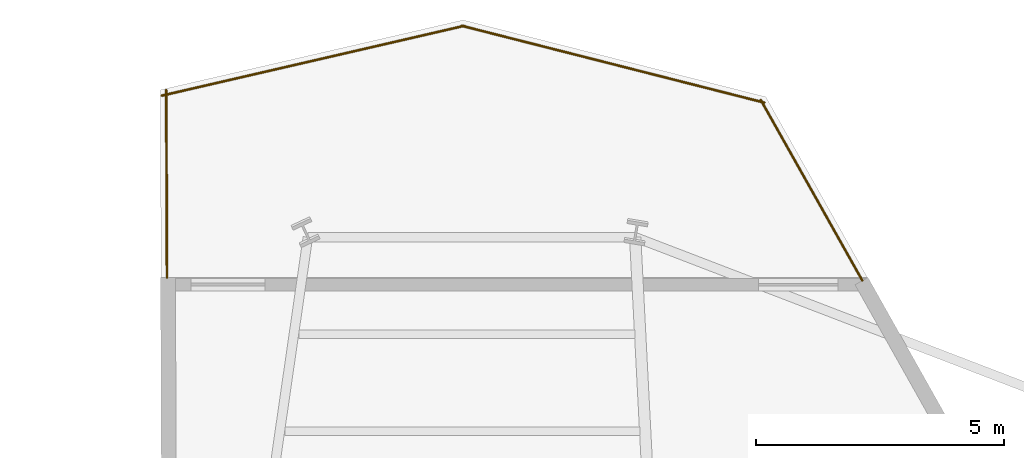
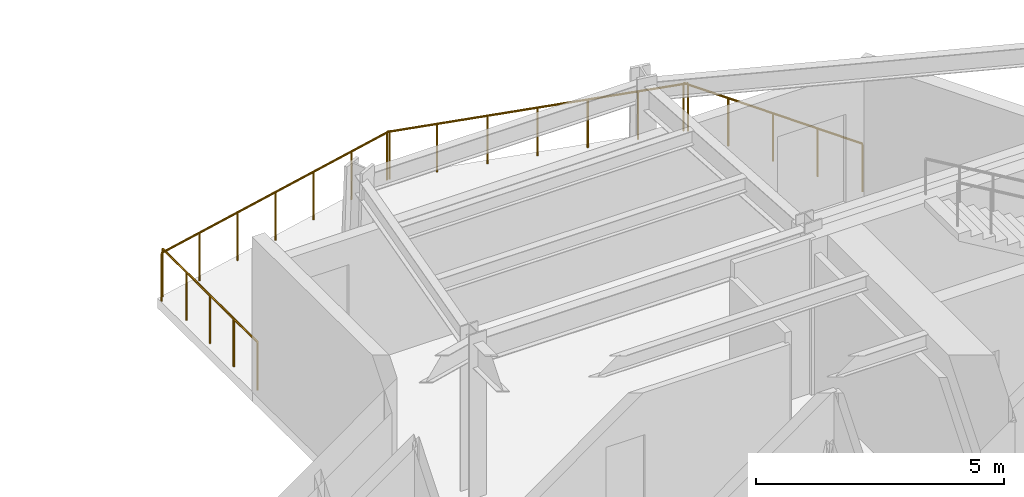
# One storey, part 23 of 23: 4 railings.
"""IFC4 building model written with IfcOpenShell, lengths in metres."""

from ifc_helpers import new_model, si_unit, direction, frame, origin, origin_2d, place, context, subcontext, project, spatial, circle, extrude, material, type_object, element, save


model = new_model("IFC4")

# Units and contexts
model_context = context("Model", 3, precision=1e-05, world=origin(), true_north=direction((0.0, 1.0)))
body_context = subcontext(model_context, "Body", "Model", "MODEL_VIEW")
ifc_project = project(units=[si_unit("LENGTHUNIT", "METRE"), si_unit("AREAUNIT", "SQUARE_METRE"), si_unit("VOLUMEUNIT", "CUBIC_METRE"), si_unit("PLANEANGLEUNIT", "RADIAN"), si_unit("MASSUNIT", "GRAM", prefix="KILO")], contexts=[model_context])

# Site, building, storey
site_placement = place(None, origin())
site = spatial("IfcSite", under=ifc_project, at=site_placement, CompositionType="ELEMENT")
building_placement = place(site_placement, origin())
building = spatial("IfcBuilding", under=site, at=building_placement, Name="Veymaron Broadcast Tower", CompositionType="ELEMENT")
storey_placement = place(building_placement, frame((0.0, 0.0, 165.449951171875)))
storey = spatial("IfcBuildingStorey", under=building, at=storey_placement, Name="L38", CompositionType="ELEMENT", Elevation=165.449951171875)

# Railings
ifc_material = material(Name="Laminated structural sentry-glass and stainless steel AISI 316L", Category="steel")
railing_type = type_object("IfcRailingType", Name="RAIL-TERR-1200", PredefinedType="GUARDRAIL", material=ifc_material)
railing_1_placement = place(storey_placement, frame((43.26904296875, 37.234130859375, 0.0)))
element("IfcRailing", 1, at=railing_1_placement, inside=storey, type_object=railing_type, Name="L38 sky-terrace perimeter guardrail 2", PredefinedType="GUARDRAIL", context=body_context, shape_type="SweptSolid", body=[
    extrude(circle(Radius=0.02392578125, at=origin_2d()), frame((0.0, 0.0, 1.17578125), z_axis=(-0.490097873601, 0.871667410365, 0.0), x_axis=(-0.871667410365, -0.490097873601, 0.0)), (0.0, 0.0, 1.0), 4.1865234375),
    extrude(circle(Radius=0.02099609375, at=origin_2d()), origin(), (0.0, 0.0, 1.0), 1.15185546875),
    extrude(circle(Radius=0.02099609375, at=origin_2d()), frame((-0.512939453125, 0.912353515625, 0.0)), (0.0, 0.0, 1.0), 1.15185546875),
    extrude(circle(Radius=0.02099609375, at=origin_2d()), frame((-1.02587890625, 1.82470703125, 0.0)), (0.0, 0.0, 1.0), 1.15185546875),
    extrude(circle(Radius=0.02099609375, at=origin_2d()), frame((-1.538818359375, 2.73681640625, 0.0)), (0.0, 0.0, 1.0), 1.15185546875),
    extrude(circle(Radius=0.02099609375, at=origin_2d()), frame((-2.0517578125, 3.649169921875, 0.0)), (0.0, 0.0, 1.0), 1.15185546875),
])
railing_2_placement = place(storey_placement, frame((41.292236328125, 40.82568359375, 0.0)))
element("IfcRailing", 2, at=railing_2_placement, inside=storey, type_object=railing_type, Name="L38 sky-terrace perimeter guardrail 3", PredefinedType="GUARDRAIL", context=body_context, shape_type="SweptSolid", body=[
    extrude(circle(Radius=0.02392578125, at=origin_2d()), frame((0.0, 0.0, 1.17578125), z_axis=(-0.969244997251, 0.246097816536, 0.0), x_axis=(-0.246097816536, -0.969244997251, 0.0)), (0.0, 0.0, 1.0), 6.302490234375),
    extrude(circle(Radius=0.02099609375, at=origin_2d()), origin(), (0.0, 0.0, 1.0), 1.15185546875),
    extrude(circle(Radius=0.02099609375, at=origin_2d()), frame((-1.01806640625, 0.258544921875, 0.0)), (0.0, 0.0, 1.0), 1.15185546875),
    extrude(circle(Radius=0.02099609375, at=origin_2d()), frame((-2.0361328125, 0.51708984375, 0.0)), (0.0, 0.0, 1.0), 1.15185546875),
    extrude(circle(Radius=0.02099609375, at=origin_2d()), frame((-3.05419921875, 0.775390625, 0.0)), (0.0, 0.0, 1.0), 1.15185546875),
    extrude(circle(Radius=0.02099609375, at=origin_2d()), frame((-4.072509765625, 1.033935546875, 0.0)), (0.0, 0.0, 1.0), 1.15185546875),
    extrude(circle(Radius=0.02099609375, at=origin_2d()), frame((-5.090576171875, 1.29248046875, 0.0)), (0.0, 0.0, 1.0), 1.15185546875),
    extrude(circle(Radius=0.02099609375, at=origin_2d()), frame((-6.108642578125, 1.551025390625, 0.0)), (0.0, 0.0, 1.0), 1.15185546875),
])
railing_3_placement = place(storey_placement, frame((35.239990234375, 42.376220703125, 0.0)))
element("IfcRailing", 3, at=railing_3_placement, inside=storey, type_object=railing_type, Name="L38 sky-terrace perimeter guardrail 4", PredefinedType="GUARDRAIL", context=body_context, shape_type="SweptSolid", body=[
    extrude(circle(Radius=0.02392578125, at=origin_2d()), frame((0.0, 0.0, 1.17578125), z_axis=(-0.974376754961, -0.224922074041, 0.0), x_axis=(0.224922074041, -0.974376754961, 0.0)), (0.0, 0.0, 1.0), 6.26953125),
    extrude(circle(Radius=0.02099609375, at=origin_2d()), origin(), (0.0, 0.0, 1.0), 1.15185546875),
    extrude(circle(Radius=0.02099609375, at=origin_2d()), frame((-1.01806640625, -0.235107421875, 0.0)), (0.0, 0.0, 1.0), 1.15185546875),
    extrude(circle(Radius=0.02099609375, at=origin_2d()), frame((-2.036376953125, -0.469970703125, 0.0)), (0.0, 0.0, 1.0), 1.15185546875),
    extrude(circle(Radius=0.02099609375, at=origin_2d()), frame((-3.054443359375, -0.705078125, 0.0)), (0.0, 0.0, 1.0), 1.15185546875),
    extrude(circle(Radius=0.02099609375, at=origin_2d()), frame((-4.072509765625, -0.940185546875, 0.0)), (0.0, 0.0, 1.0), 1.15185546875),
    extrude(circle(Radius=0.02099609375, at=origin_2d()), frame((-5.0908203125, -1.175048828125, 0.0)), (0.0, 0.0, 1.0), 1.15185546875),
    extrude(circle(Radius=0.02099609375, at=origin_2d()), frame((-6.10888671875, -1.41015625, 0.0)), (0.0, 0.0, 1.0), 1.15185546875),
])
railing_4_placement = place(storey_placement, frame((29.22412109375, 41.08349609375, 0.0)))
element("IfcRailing", 4, at=railing_4_placement, inside=storey, type_object=railing_type, Name="L38 sky-terrace perimeter guardrail 5", PredefinedType="GUARDRAIL", context=body_context, shape_type="SweptSolid", body=[
    extrude(circle(Radius=0.02392578125, at=origin_2d()), frame((0.0, 0.0, 1.17578125), z_axis=(0.004058198997, -0.999991765477, 0.0), x_axis=(0.999991765477, 0.004058198997, 0.0)), (0.0, 0.0, 1.0), 3.7900390625),
    extrude(circle(Radius=0.02099609375, at=origin_2d()), origin(), (0.0, 0.0, 1.0), 1.15185546875),
    extrude(circle(Radius=0.02099609375, at=origin_2d()), frame((0.00390625, -0.947509765625, 0.0)), (0.0, 0.0, 1.0), 1.15185546875),
    extrude(circle(Radius=0.02099609375, at=origin_2d()), frame((0.0078125, -1.89501953125, 0.0)), (0.0, 0.0, 1.0), 1.15185546875),
    extrude(circle(Radius=0.02099609375, at=origin_2d()), frame((0.011474609375, -2.842529296875, 0.0)), (0.0, 0.0, 1.0), 1.15185546875),
    extrude(circle(Radius=0.02099609375, at=origin_2d()), frame((0.015380859375, -3.7900390625, 0.0)), (0.0, 0.0, 1.0), 1.15185546875),
])

save(model, "model.ifc")
